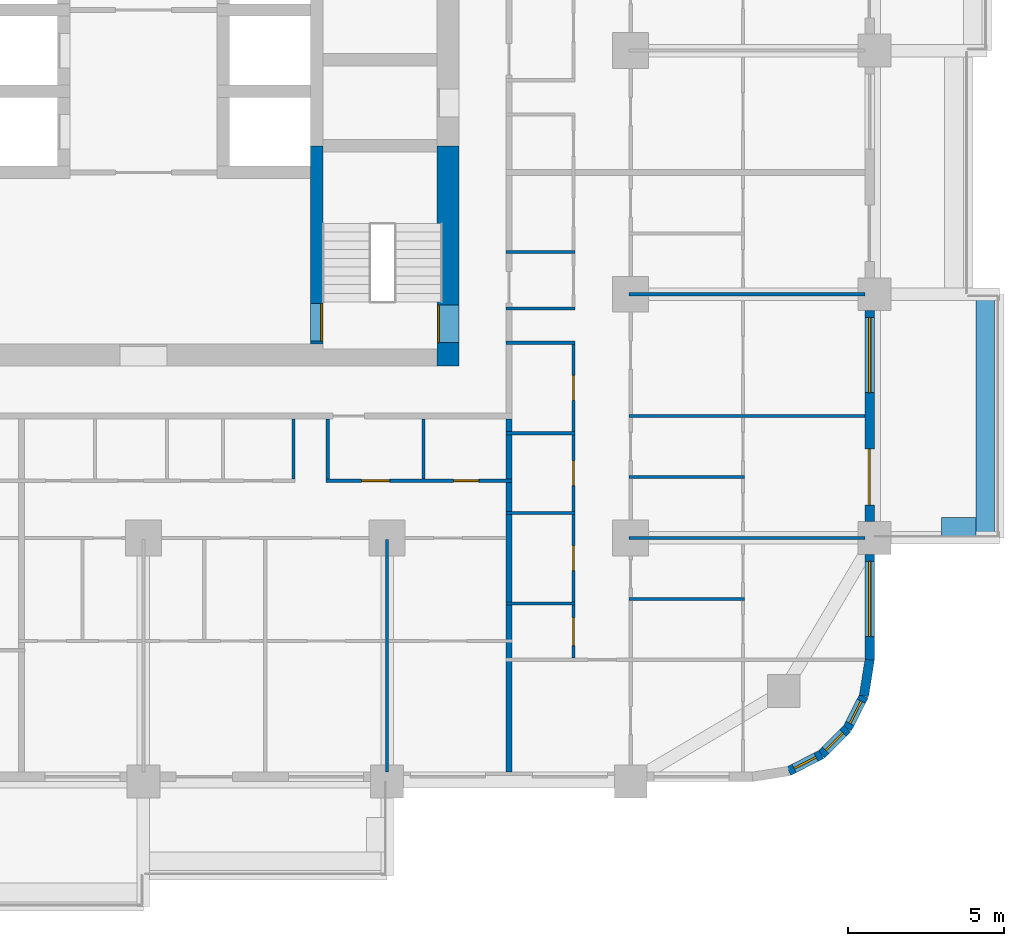
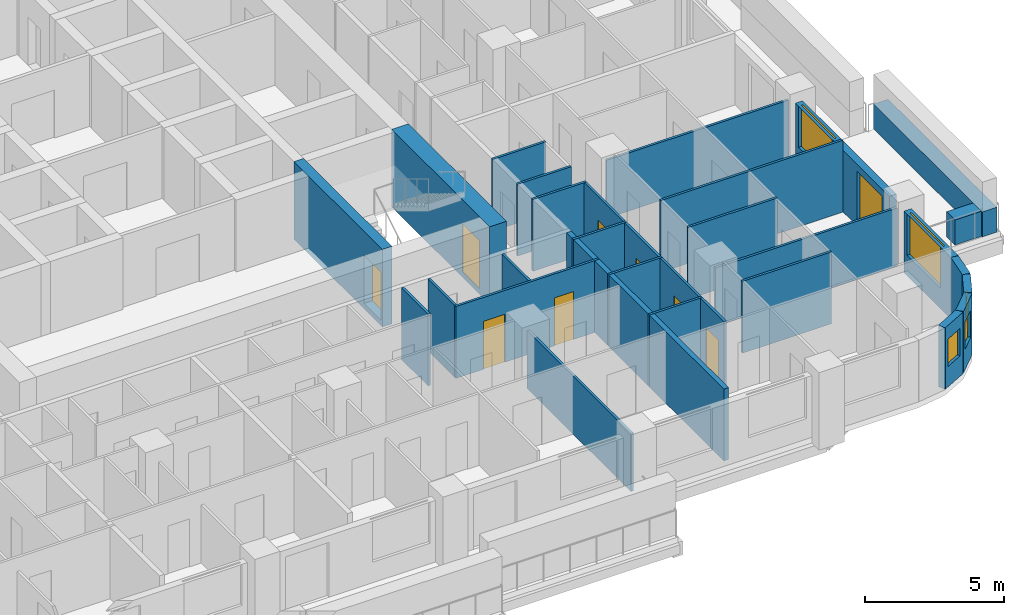
# One storey, part 7 of 17: 28 walls, 9 doors, 5 windows, 14 openings.
"""IFC4 building model written with IfcOpenShell, lengths in metres."""

from ifc_helpers import new_model, si_unit, direction, frame, frame_2d, origin, place, context, subcontext, project, spatial, rectangle, extrude, material, layer, layer_set, type_object, element, fill, save


model = new_model("IFC4")

# Units and contexts
model_context = context("Model", 3, precision=1e-05, world=origin(), true_north=direction((0.0, 1.0)))
body_context = subcontext(model_context, "Body", "Model", "MODEL_VIEW")
ifc_project = project(units=[si_unit("LENGTHUNIT", "METRE"), si_unit("AREAUNIT", "SQUARE_METRE"), si_unit("VOLUMEUNIT", "CUBIC_METRE"), si_unit("PLANEANGLEUNIT", "RADIAN"), si_unit("MASSUNIT", "GRAM", prefix="KILO")], contexts=[model_context])

# Site, building, storey
site_placement = place(None, origin())
site = spatial("IfcSite", under=ifc_project, at=site_placement, CompositionType="ELEMENT")
building_placement = place(site_placement, origin())
building = spatial("IfcBuilding", under=site, at=building_placement, Name="Ludao Terraces", CompositionType="ELEMENT")
storey_placement = place(building_placement, frame((0.0, 0.0, 54.60009765625)))
storey = spatial("IfcBuildingStorey", under=building, at=storey_placement, Name="L14", CompositionType="ELEMENT", Elevation=54.60009765625)

# Wall, opening, door
ifc_material_1 = material(Name="Concrete C70", Category="concrete")
ifc_layer_1 = layer(ifc_material_1, 0.699951171875)
ifc_layer_set_1 = layer_set([ifc_layer_1], Name="Core wall 700 C70")
wall_type_1 = type_object("IfcWallType", Name="Core wall 700 C70", PredefinedType="SOLIDWALL", material=ifc_layer_set_1)
wall_1_placement = place(storey_placement, frame((94.75, 54.89990234375, -0.25), z_axis=(0.0, 0.0, 1.0), x_axis=(0.0, 1.0, 0.0)))
wall_1 = element("IfcWall", 1, at=wall_1_placement, inside=storey, type_object=wall_type_1, Name="Core wall L14 outer-E-S3", PredefinedType="SOLIDWALL", context=body_context, shape_type="SweptSolid", body=[
    extrude(rectangle(XDim=7.050048828125, YDim=0.699951171875, at=frame_2d((3.52490234375, 0.0))), origin(), (0.0, 0.0, 1.0), 3.39990234375),
])
opening_1_placement = place(wall_1_placement, frame((0.75, 0.0, 0.25)))
opening_1 = element("IfcOpeningElement", 2, at=opening_1_placement, cuts=wall_1, Name="Opening R04-059", PredefinedType="OPENING", context=body_context, shape_type="SweptSolid", body=[
    extrude(rectangle(XDim=1.199951171875, YDim=2.10009765625, at=frame_2d((0.60009765625, 1.050048828125))), frame((0.0, 0.35986328125, 0.0), z_axis=(0.0, -1.0, 0.0), x_axis=(1.0, 0.0, 0.0)), (0.0, 0.0, 1.0), 0.719970703125),
])
ifc_material_2 = material(Name="Steel Q235", Category="steel")
door_type_1 = type_object("IfcDoorType", Name="INT Stair door 1200", OperationType="DOUBLE_DOOR_SINGLE_SWING", PredefinedType="DOOR", material=ifc_material_2)
door_1_placement = place(opening_1_placement, origin())
door_1 = element("IfcDoor", 3, at=door_1_placement, inside=storey, type_object=door_type_1, Name="DOOR 059", OperationType="DOUBLE_DOOR_SINGLE_SWING", OverallHeight=2.10009765625, OverallWidth=1.199951171875, PredefinedType="DOOR", context=body_context, shape_type="SweptSolid", body=[
    extrude(rectangle(XDim=1.199951171875, YDim=2.10009765625, at=frame_2d((0.60009765625, 1.050048828125))), frame((0.0, 0.3349609375, 0.0), z_axis=(0.0, -1.0, 0.0), x_axis=(1.0, 0.0, 0.0)), (0.0, 0.0, 1.0), 0.050048828125),
])
fill(opening_1, door_1)

# Walls
ifc_material_3 = material(Name="Concrete C40", Category="concrete")
ifc_layer_2 = layer(ifc_material_3, 0.60009765625)
ifc_layer_set_2 = layer_set([ifc_layer_2], Name="ENV Planter trough 600")
wall_type_2 = type_object("IfcWallType", Name="ENV Planter trough 600", PredefinedType="USERDEFINED", material=ifc_layer_set_2)
wall_2_placement = place(storey_placement, frame((111.949951171875, 49.39990234375, 0.0), z_axis=(0.0, 0.0, 1.0), x_axis=(0.0, 1.0, 0.0)))
element("IfcWall", 4, at=wall_2_placement, inside=storey, type_object=wall_type_2, Name="PL-L14-E1", ObjectType="PLANTER", PredefinedType="USERDEFINED", context=body_context, shape_type="SweptSolid", body=[
    extrude(rectangle(XDim=7.800048828125, YDim=0.60009765625, at=frame_2d((3.89990234375, 0.0))), origin(), (0.0, 0.0, 1.0), 1.099853515625),
])
wall_3_placement = place(storey_placement, frame((111.64990234375, 49.75, 0.0), z_axis=(0.0, 0.0, 1.0), x_axis=(-1.0, 0.0, 0.0)))
element("IfcWall", 5, at=wall_3_placement, inside=storey, type_object=wall_type_2, Name="PL-L14-E1-SA", ObjectType="PLANTER", PredefinedType="USERDEFINED", context=body_context, shape_type="SweptSolid", body=[
    extrude(rectangle(XDim=1.099853515625, YDim=0.60009765625, at=frame_2d((0.5498046875, 0.0))), origin(), (0.0, 0.0, 1.0), 1.099853515625),
])

# Wall, opening, window
ifc_material_4 = material(Name="Granite cladding", Category="masonry")
ifc_layer_3 = layer(ifc_material_4, 0.0400390625, Category="stone")
ifc_material_5 = material(Name="Mineral wool")
ifc_layer_4 = layer(ifc_material_5, 0.06005859375)
ifc_layer_5 = layer(ifc_material_3, 0.199951171875, Category="concrete")
ifc_layer_set_3 = layer_set([ifc_layer_3, ifc_layer_4, ifc_layer_5], Name="ENV Stone-clad wall 300")
wall_type_3 = type_object("IfcWallType", Name="ENV Stone-clad wall 300", PredefinedType="SOLIDWALL", material=ifc_layer_set_3)
wall_4_placement = place(storey_placement, frame((108.25, 45.5, 0.0), z_axis=(0.0, 0.0, 1.0), x_axis=(0.0, 1.0, 0.0)))
wall_4 = element("IfcWall", 6, at=wall_4_placement, inside=storey, type_object=wall_type_3, Name="EW-L14-E1", PredefinedType="SOLIDWALL", context=body_context, shape_type="SweptSolid", body=[
    extrude(rectangle(XDim=3.375, YDim=0.300048828125, at=frame_2d((1.6875, 0.0))), origin(), (0.0, 0.0, 1.0), 2.699951171875),
])
opening_2_placement = place(wall_4_placement, frame((0.75, 0.0, 0.89990234375)))
opening_2 = element("IfcOpeningElement", 7, at=opening_2_placement, cuts=wall_4, Name="Opening W1", PredefinedType="OPENING", context=body_context, shape_type="SweptSolid", body=[
    extrude(rectangle(XDim=2.39990234375, YDim=1.800048828125, at=frame_2d((1.199951171875, 0.89990234375))), frame((0.0, 0.16015625, 0.0), z_axis=(0.0, -1.0, 0.0), x_axis=(1.0, 0.0, 0.0)), (0.0, 0.0, 1.0), 0.320068359375),
])
ifc_material_6 = material(Name="Clear glass in aluminium frame", Category="aluminium")
ifc_layer_6 = layer(ifc_material_6, 0.06005859375)
ifc_layer_set_4 = layer_set([ifc_layer_6], Name="ENV Window W1 2400x1800")
window_type_1 = type_object("IfcWindowType", Name="ENV Window W1 2400x1800", PartitioningType="DOUBLE_PANEL_VERTICAL", PredefinedType="WINDOW", material=ifc_layer_set_4)
window_1_placement = place(opening_2_placement, origin())
window_1 = element("IfcWindow", 8, at=window_1_placement, inside=storey, type_object=window_type_1, Name="W-L14-E1-1", OverallHeight=1.800048828125, OverallWidth=2.39990234375, PartitioningType="DOUBLE_PANEL_VERTICAL", PredefinedType="WINDOW", context=body_context, shape_type="SweptSolid", body=[
    extrude(rectangle(XDim=2.39990234375, YDim=1.800048828125, at=frame_2d((1.199951171875, 0.89990234375))), frame((0.0, 0.030029296875, 0.0), z_axis=(0.0, -1.0, 0.0), x_axis=(1.0, 0.0, 0.0)), (0.0, 0.0, 1.0), 0.06005859375),
])
fill(opening_2, window_1)

# Wall, openings, door, window
wall_5_placement = place(storey_placement, frame((108.25, 49.925048828125, 0.0), z_axis=(0.0, 0.0, 1.0), x_axis=(0.0, 1.0, 0.0)))
wall_5 = element("IfcWall", 9, at=wall_5_placement, inside=storey, type_object=wall_type_3, Name="EW-L14-E2", PredefinedType="SOLIDWALL", context=body_context, shape_type="SweptSolid", body=[
    extrude(rectangle(XDim=6.75, YDim=0.300048828125, at=frame_2d((3.375, 0.0))), origin(), (0.0, 0.0, 1.0), 2.699951171875),
])
opening_3_placement = place(wall_5_placement, frame((0.52490234375, 0.0, 0.0)))
opening_3 = element("IfcOpeningElement", 10, at=opening_3_placement, cuts=wall_5, Name="Opening BD", PredefinedType="OPENING", context=body_context, shape_type="SweptSolid", body=[
    extrude(rectangle(XDim=1.800048828125, YDim=2.39990234375, at=frame_2d((0.89990234375, 1.199951171875))), frame((0.0, 0.16015625, 0.0), z_axis=(0.0, -1.0, 0.0), x_axis=(1.0, 0.0, 0.0)), (0.0, 0.0, 1.0), 0.320068359375),
])
opening_4_placement = place(wall_5_placement, frame((4.125, 0.0, 0.89990234375)))
opening_4 = element("IfcOpeningElement", 11, at=opening_4_placement, cuts=wall_5, Name="Opening W1", PredefinedType="OPENING", context=body_context, shape_type="SweptSolid", body=[
    extrude(rectangle(XDim=2.39990234375, YDim=1.800048828125, at=frame_2d((1.199951171875, 0.89990234375))), frame((0.0, 0.16015625, 0.0), z_axis=(0.0, -1.0, 0.0), x_axis=(1.0, 0.0, 0.0)), (0.0, 0.0, 1.0), 0.320068359375),
])
ifc_material_7 = material(Name="Aluminium glazed door", Category="aluminium")
ifc_layer_7 = layer(ifc_material_7, 0.06005859375)
ifc_layer_set_5 = layer_set([ifc_layer_7], Name="ENV Balcony door BD 1800x2400")
door_type_2 = type_object("IfcDoorType", Name="ENV Balcony door BD 1800x2400", OperationType="DOUBLE_DOOR_SINGLE_SWING", PredefinedType="DOOR", material=ifc_layer_set_5)
door_2_placement = place(opening_3_placement, origin())
door_2 = element("IfcDoor", 12, at=door_2_placement, inside=storey, type_object=door_type_2, Name="BD-L14-E2-1", OperationType="DOUBLE_DOOR_SINGLE_SWING", OverallHeight=2.39990234375, OverallWidth=1.800048828125, PredefinedType="DOOR", context=body_context, shape_type="SweptSolid", body=[
    extrude(rectangle(XDim=1.800048828125, YDim=2.39990234375, at=frame_2d((0.89990234375, 1.199951171875))), frame((0.0, 0.02490234375, 0.0), z_axis=(0.0, -1.0, 0.0), x_axis=(1.0, 0.0, 0.0)), (0.0, 0.0, 1.0), 0.050048828125),
])
fill(opening_3, door_2)
window_2_placement = place(opening_4_placement, origin())
window_2 = element("IfcWindow", 13, at=window_2_placement, inside=storey, type_object=window_type_1, Name="W-L14-E2-2", OverallHeight=1.800048828125, OverallWidth=2.39990234375, PartitioningType="DOUBLE_PANEL_VERTICAL", PredefinedType="WINDOW", context=body_context, shape_type="SweptSolid", body=[
    extrude(rectangle(XDim=2.39990234375, YDim=1.800048828125, at=frame_2d((1.199951171875, 0.89990234375))), frame((0.0, 0.030029296875, 0.0), z_axis=(0.0, -1.0, 0.0), x_axis=(1.0, 0.0, 0.0)), (0.0, 0.0, 1.0), 0.06005859375),
])
fill(opening_4, window_2)

# Wall, opening, window
wall_6_placement = place(storey_placement, frame((105.65869140625, 41.93359375, 0.0), z_axis=(0.0, 0.0, 1.0), x_axis=(0.890988677504, 0.454025524128, 0.0)))
wall_6 = element("IfcWall", 14, at=wall_6_placement, inside=storey, type_object=wall_type_3, Name="EW-L14-SE2", PredefinedType="SOLIDWALL", context=body_context, shape_type="SweptSolid", body=[
    extrude(rectangle(XDim=1.17333984375, YDim=0.300048828125, at=frame_2d((0.586669921875, 0.0))), origin(), (0.0, 0.0, 1.0), 2.699951171875),
])
opening_5_placement = place(wall_6_placement, frame((0.1865234375, 0.0, 0.89990234375)))
opening_5 = element("IfcOpeningElement", 15, at=opening_5_placement, cuts=wall_6, Name="Opening W3", PredefinedType="OPENING", context=body_context, shape_type="SweptSolid", body=[
    extrude(rectangle(XDim=0.800048828125, YDim=1.199951171875, at=frame_2d((0.39990234375, 0.60009765625))), frame((0.0, 0.16015625, 0.0), z_axis=(0.0, -1.0, 0.0), x_axis=(1.0, 0.0, 0.0)), (0.0, 0.0, 1.0), 0.320068359375),
])
ifc_layer_8 = layer(ifc_material_6, 0.06005859375)
ifc_layer_set_6 = layer_set([ifc_layer_8], Name="ENV Window W3 800x1200")
window_type_2 = type_object("IfcWindowType", Name="ENV Window W3 800x1200", PartitioningType="SINGLE_PANEL", PredefinedType="WINDOW", material=ifc_layer_set_6)
window_3_placement = place(opening_5_placement, origin())
window_3 = element("IfcWindow", 16, at=window_3_placement, inside=storey, type_object=window_type_2, Name="W-L14-SE2", OverallHeight=1.199951171875, OverallWidth=0.800048828125, PartitioningType="SINGLE_PANEL", PredefinedType="WINDOW", context=body_context, shape_type="SweptSolid", body=[
    extrude(rectangle(XDim=0.800048828125, YDim=1.199951171875, at=frame_2d((0.39990234375, 0.60009765625))), frame((0.0, 0.030029296875, 0.0), z_axis=(0.0, -1.0, 0.0), x_axis=(1.0, 0.0, 0.0)), (0.0, 0.0, 1.0), 0.06005859375),
])
fill(opening_5, window_3)

wall_7_placement = place(storey_placement, frame((106.7041015625, 42.46630859375, 0.0), z_axis=(0.0, 0.0, 1.0), x_axis=(0.707106781187, 0.707106781187, 0.0)))
wall_7 = element("IfcWall", 17, at=wall_7_placement, inside=storey, type_object=wall_type_3, Name="EW-L14-SE3", PredefinedType="SOLIDWALL", context=body_context, shape_type="SweptSolid", body=[
    extrude(rectangle(XDim=1.173095703125, YDim=0.300048828125, at=frame_2d((0.58642578125, 0.0))), origin(), (0.0, 0.0, 1.0), 2.699951171875),
])
opening_6_placement = place(wall_7_placement, frame((0.1865234375, 0.0, 0.89990234375)))
opening_6 = element("IfcOpeningElement", 18, at=opening_6_placement, cuts=wall_7, Name="Opening W3", PredefinedType="OPENING", context=body_context, shape_type="SweptSolid", body=[
    extrude(rectangle(XDim=0.800048828125, YDim=1.199951171875, at=frame_2d((0.39990234375, 0.60009765625))), frame((0.0, 0.16015625, 0.0), z_axis=(0.0, -1.0, 0.0), x_axis=(1.0, 0.0, 0.0)), (0.0, 0.0, 1.0), 0.320068359375),
])
window_4_placement = place(opening_6_placement, origin())
window_4 = element("IfcWindow", 19, at=window_4_placement, inside=storey, type_object=window_type_2, Name="W-L14-SE3", OverallHeight=1.199951171875, OverallWidth=0.800048828125, PartitioningType="SINGLE_PANEL", PredefinedType="WINDOW", context=body_context, shape_type="SweptSolid", body=[
    extrude(rectangle(XDim=0.800048828125, YDim=1.199951171875, at=frame_2d((0.39990234375, 0.60009765625))), frame((0.0, 0.030029296875, 0.0), z_axis=(0.0, -1.0, 0.0), x_axis=(1.0, 0.0, 0.0)), (0.0, 0.0, 1.0), 0.06005859375),
])
fill(opening_6, window_4)

wall_8_placement = place(storey_placement, frame((107.53369140625, 43.2958984375, 0.0), z_axis=(0.0, 0.0, 1.0), x_axis=(0.454025524128, 0.890988677504, 0.0)))
wall_8 = element("IfcWall", 20, at=wall_8_placement, inside=storey, type_object=wall_type_3, Name="EW-L14-SE4", PredefinedType="SOLIDWALL", context=body_context, shape_type="SweptSolid", body=[
    extrude(rectangle(XDim=1.17333984375, YDim=0.300048828125, at=frame_2d((0.586669921875, 0.0))), origin(), (0.0, 0.0, 1.0), 2.699951171875),
])
opening_7_placement = place(wall_8_placement, frame((0.1865234375, 0.0, 0.89990234375)))
opening_7 = element("IfcOpeningElement", 21, at=opening_7_placement, cuts=wall_8, Name="Opening W3", PredefinedType="OPENING", context=body_context, shape_type="SweptSolid", body=[
    extrude(rectangle(XDim=0.800048828125, YDim=1.199951171875, at=frame_2d((0.39990234375, 0.60009765625))), frame((0.0, 0.16015625, 0.0), z_axis=(0.0, -1.0, 0.0), x_axis=(1.0, 0.0, 0.0)), (0.0, 0.0, 1.0), 0.320068359375),
])
window_5_placement = place(opening_7_placement, origin())
window_5 = element("IfcWindow", 22, at=window_5_placement, inside=storey, type_object=window_type_2, Name="W-L14-SE4", OverallHeight=1.199951171875, OverallWidth=0.800048828125, PartitioningType="SINGLE_PANEL", PredefinedType="WINDOW", context=body_context, shape_type="SweptSolid", body=[
    extrude(rectangle(XDim=0.800048828125, YDim=1.199951171875, at=frame_2d((0.39990234375, 0.60009765625))), frame((0.0, 0.030029296875, 0.0), z_axis=(0.0, -1.0, 0.0), x_axis=(1.0, 0.0, 0.0)), (0.0, 0.0, 1.0), 0.06005859375),
])
fill(opening_7, window_5)

# Walls
wall_9_placement = place(storey_placement, frame((108.06640625, 44.34130859375, 0.0), z_axis=(0.0, 0.0, 1.0), x_axis=(0.156496880861, 0.987678452879, 0.0)))
element("IfcWall", 23, at=wall_9_placement, inside=storey, type_object=wall_type_3, Name="EW-L14-SE5", PredefinedType="SOLIDWALL", context=body_context, shape_type="SweptSolid", body=[
    extrude(rectangle(XDim=1.173095703125, YDim=0.300048828125, at=frame_2d((0.58642578125, 0.0))), origin(), (0.0, 0.0, 1.0), 2.699951171875),
])
ifc_material_8 = material(Name="Gypsum plasterboard", Category="gypsum")
ifc_layer_9 = layer(ifc_material_8, 0.012451171875, Category="gypsum")
ifc_layer_10 = layer(ifc_material_5, 0.06005859375, Name="insulation")
ifc_layer_11 = layer(ifc_material_2, 0.014892578125, Name="stud")
ifc_layer_12 = layer(ifc_material_8, 0.012451171875, Category="gypsum")
ifc_layer_set_7 = layer_set([ifc_layer_9, ifc_layer_10, ifc_layer_11, ifc_layer_12], Name="INT Partition 100")
wall_type_4 = type_object("IfcWallType", Name="INT Partition 100", PredefinedType="PARTITIONING", material=ifc_layer_set_7)
wall_10_placement = place(storey_placement, frame((96.60009765625, 47.300048828125, 0.0), z_axis=(0.0, 0.0, 1.0), x_axis=(1.0, 0.0, 0.0)))
element("IfcWall", 24, at=wall_10_placement, inside=storey, type_object=wall_type_4, Name="PW-L14-PW005", PredefinedType="PARTITIONING", context=body_context, shape_type="SweptSolid", body=[
    extrude(rectangle(XDim=2.219970703125, YDim=0.10009765625, at=frame_2d((1.10986328125, 0.0))), origin(), (0.0, 0.0, 1.0), 3.14990234375),
])
wall_11_placement = place(storey_placement, frame((100.550048828125, 47.449951171875, 0.0), z_axis=(0.0, 0.0, 1.0), x_axis=(1.0, 0.0, 0.0)))
element("IfcWall", 25, at=wall_11_placement, inside=storey, type_object=wall_type_4, Name="PW-L14-PW007", PredefinedType="PARTITIONING", context=body_context, shape_type="SweptSolid", body=[
    extrude(rectangle(XDim=3.699951171875, YDim=0.10009765625, at=frame_2d((1.85009765625, 0.0))), origin(), (0.0, 0.0, 1.0), 3.14990234375),
])
wall_12_placement = place(storey_placement, frame((100.550048828125, 49.39990234375, 0.0), z_axis=(0.0, 0.0, 1.0), x_axis=(1.0, 0.0, 0.0)))
element("IfcWall", 26, at=wall_12_placement, inside=storey, type_object=wall_type_4, Name="PW-L14-PW010", PredefinedType="PARTITIONING", context=body_context, shape_type="SweptSolid", body=[
    extrude(rectangle(XDim=7.550048828125, YDim=0.10009765625, at=frame_2d((3.77490234375, 0.0))), origin(), (0.0, 0.0, 1.0), 2.5498046875),
])
wall_13_placement = place(storey_placement, frame((96.60009765625, 50.199951171875, 0.0), z_axis=(0.0, 0.0, 1.0), x_axis=(1.0, 0.0, 0.0)))
element("IfcWall", 27, at=wall_13_placement, inside=storey, type_object=wall_type_4, Name="PW-L14-PW012", PredefinedType="PARTITIONING", context=body_context, shape_type="SweptSolid", body=[
    extrude(rectangle(XDim=2.219970703125, YDim=0.10009765625, at=frame_2d((1.10986328125, 0.0))), origin(), (0.0, 0.0, 1.0), 3.14990234375),
])

# Wall, openings, doors
wall_14_placement = place(storey_placement, frame((90.85009765625, 51.22998046875, 0.0), z_axis=(0.0, 0.0, 1.0), x_axis=(1.0, 0.0, 0.0)))
wall_14 = element("IfcWall", 28, at=wall_14_placement, inside=storey, type_object=wall_type_4, Name="PW-L14-PW015", PredefinedType="PARTITIONING", context=body_context, shape_type="SweptSolid", body=[
    extrude(rectangle(XDim=5.949951171875, YDim=0.10009765625, at=frame_2d((2.97509765625, 0.0))), origin(), (0.0, 0.0, 1.0), 3.14990234375),
])
opening_8_placement = place(wall_14_placement, frame((1.135009765625, 0.0, 0.0)))
opening_8 = element("IfcOpeningElement", 29, at=opening_8_placement, cuts=wall_14, Name="Opening R04-041", PredefinedType="OPENING", context=body_context, shape_type="SweptSolid", body=[
    extrude(rectangle(XDim=0.89990234375, YDim=2.10009765625, at=frame_2d((0.449951171875, 1.050048828125))), frame((0.0, 0.06005859375, 0.0), z_axis=(0.0, -1.0, 0.0), x_axis=(1.0, 0.0, 0.0)), (0.0, 0.0, 1.0), 0.1201171875),
])
opening_9_placement = place(wall_14_placement, frame((4.0849609375, 0.0, 0.0)))
opening_9 = element("IfcOpeningElement", 30, at=opening_9_placement, cuts=wall_14, Name="Opening R04-042", PredefinedType="OPENING", context=body_context, shape_type="SweptSolid", body=[
    extrude(rectangle(XDim=0.800048828125, YDim=2.10009765625, at=frame_2d((0.39990234375, 1.050048828125))), frame((0.0, 0.06005859375, 0.0), z_axis=(0.0, -1.0, 0.0), x_axis=(1.0, 0.0, 0.0)), (0.0, 0.0, 1.0), 0.1201171875),
])
ifc_material_9 = material(Name="Timber door leaf", Category="wood")
door_type_3 = type_object("IfcDoorType", Name="INT Room door 900", OperationType="SINGLE_SWING_LEFT", PredefinedType="DOOR", material=ifc_material_9)
door_3_placement = place(opening_8_placement, origin())
door_3 = element("IfcDoor", 31, at=door_3_placement, inside=storey, type_object=door_type_3, Name="DOOR 041", OperationType="SINGLE_SWING_LEFT", OverallHeight=2.10009765625, OverallWidth=0.89990234375, PredefinedType="DOOR", context=body_context, shape_type="SweptSolid", body=[
    extrude(rectangle(XDim=0.89990234375, YDim=2.10009765625, at=frame_2d((0.449951171875, 1.050048828125))), frame((0.0, 0.02490234375, 0.0), z_axis=(0.0, -1.0, 0.0), x_axis=(1.0, 0.0, 0.0)), (0.0, 0.0, 1.0), 0.050048828125),
])
fill(opening_8, door_3)
door_type_4 = type_object("IfcDoorType", Name="INT Store door 800", OperationType="SINGLE_SWING_LEFT", PredefinedType="DOOR", material=ifc_material_9)
door_4_placement = place(opening_9_placement, origin())
door_4 = element("IfcDoor", 32, at=door_4_placement, inside=storey, type_object=door_type_4, Name="DOOR 042", OperationType="SINGLE_SWING_RIGHT", OverallHeight=2.10009765625, OverallWidth=0.800048828125, PredefinedType="DOOR", context=body_context, shape_type="SweptSolid", body=[
    extrude(rectangle(XDim=0.800048828125, YDim=2.10009765625, at=frame_2d((0.39990234375, 1.050048828125))), frame((0.0, 0.02490234375, 0.0), z_axis=(0.0, -1.0, 0.0), x_axis=(1.0, 0.0, 0.0)), (0.0, 0.0, 1.0), 0.050048828125),
])
fill(opening_9, door_4)

# Walls
wall_15_placement = place(storey_placement, frame((100.550048828125, 51.35009765625, 0.0), z_axis=(0.0, 0.0, 1.0), x_axis=(1.0, 0.0, 0.0)))
element("IfcWall", 33, at=wall_15_placement, inside=storey, type_object=wall_type_4, Name="PW-L14-PW017", PredefinedType="PARTITIONING", context=body_context, shape_type="SweptSolid", body=[
    extrude(rectangle(XDim=3.699951171875, YDim=0.10009765625, at=frame_2d((1.85009765625, 0.0))), origin(), (0.0, 0.0, 1.0), 3.14990234375),
])
wall_16_placement = place(storey_placement, frame((96.60009765625, 52.75, 0.0), z_axis=(0.0, 0.0, 1.0), x_axis=(1.0, 0.0, 0.0)))
element("IfcWall", 34, at=wall_16_placement, inside=storey, type_object=wall_type_4, Name="PW-L14-PW018", PredefinedType="PARTITIONING", context=body_context, shape_type="SweptSolid", body=[
    extrude(rectangle(XDim=2.219970703125, YDim=0.10009765625, at=frame_2d((1.10986328125, 0.0))), origin(), (0.0, 0.0, 1.0), 3.14990234375),
])
wall_17_placement = place(storey_placement, frame((100.550048828125, 53.300048828125, 0.0), z_axis=(0.0, 0.0, 1.0), x_axis=(1.0, 0.0, 0.0)))
element("IfcWall", 35, at=wall_17_placement, inside=storey, type_object=wall_type_4, Name="PW-L14-PW022", PredefinedType="PARTITIONING", context=body_context, shape_type="SweptSolid", body=[
    extrude(rectangle(XDim=7.550048828125, YDim=0.10009765625, at=frame_2d((3.77490234375, 0.0))), origin(), (0.0, 0.0, 1.0), 3.14990234375),
])
for number, where, z_axis, x_axis, name in (
    (36, (96.60009765625, 55.64990234375, 0.0), (0.0, 0.0, 1.0), (1.0, 0.0, 0.0), "PW-L14-PW024"),
    (37, (96.60009765625, 56.75, 0.0), (0.0, 0.0, 1.0), (1.0, 0.0, 0.0), "PW-L14-PW026"),
):
    element("IfcWall", number, at=place(storey_placement, frame(where, z_axis=z_axis, x_axis=x_axis)), inside=storey, type_object=wall_type_4, Name=name, PredefinedType="PARTITIONING", context=body_context, shape_type="SweptSolid", body=[
        extrude(rectangle(XDim=2.219970703125, YDim=0.10009765625, at=frame_2d((1.10986328125, 0.0))), origin(), (0.0, 0.0, 1.0), 3.14990234375),
    ])
wall_18_placement = place(storey_placement, frame((100.550048828125, 57.199951171875, 0.0), z_axis=(0.0, 0.0, 1.0), x_axis=(1.0, 0.0, 0.0)))
element("IfcWall", 38, at=wall_18_placement, inside=storey, type_object=wall_type_4, Name="PW-L14-PW028", PredefinedType="PARTITIONING", context=body_context, shape_type="SweptSolid", body=[
    extrude(rectangle(XDim=7.550048828125, YDim=0.10009765625, at=frame_2d((3.77490234375, 0.0))), origin(), (0.0, 0.0, 1.0), 2.5498046875),
])
wall_19_placement = place(storey_placement, frame((96.60009765625, 58.550048828125, 0.0), z_axis=(0.0, 0.0, 1.0), x_axis=(1.0, 0.0, 0.0)))
element("IfcWall", 39, at=wall_19_placement, inside=storey, type_object=wall_type_4, Name="PW-L14-PW029", PredefinedType="PARTITIONING", context=body_context, shape_type="SweptSolid", body=[
    extrude(rectangle(XDim=2.219970703125, YDim=0.10009765625, at=frame_2d((1.10986328125, 0.0))), origin(), (0.0, 0.0, 1.0), 3.14990234375),
])
for number, where, z_axis, x_axis, name in (
    (40, (89.800048828125, 51.280029296875, 0.0), (0.0, 0.0, 1.0), (0.0, 1.0, 0.0), "PW-L14-PW108"),
    (41, (90.89990234375, 51.280029296875, 0.0), (0.0, 0.0, 1.0), (0.0, 1.0, 0.0), "PW-L14-PW109"),
):
    element("IfcWall", number, at=place(storey_placement, frame(where, z_axis=z_axis, x_axis=x_axis)), inside=storey, type_object=wall_type_4, Name=name, PredefinedType="PARTITIONING", context=body_context, shape_type="SweptSolid", body=[
        extrude(rectangle(XDim=1.920166015625, YDim=0.10009765625, at=frame_2d((0.9599609375, 0.0))), origin(), (0.0, 0.0, 1.0), 3.14990234375),
    ])
wall_20_placement = place(storey_placement, frame((92.800048828125, 41.900146484375, 0.0), z_axis=(0.0, 0.0, 1.0), x_axis=(0.0, 1.0, 0.0)))
element("IfcWall", 42, at=wall_20_placement, inside=storey, type_object=wall_type_4, Name="PW-L14-PW110", PredefinedType="PARTITIONING", context=body_context, shape_type="SweptSolid", body=[
    extrude(rectangle(XDim=7.449951171875, YDim=0.10009765625, at=frame_2d((3.72509765625, 0.0))), origin(), (0.0, 0.0, 1.0), 2.5498046875),
])
wall_21_placement = place(storey_placement, frame((93.969970703125, 51.280029296875, 0.0), z_axis=(0.0, 0.0, 1.0), x_axis=(0.0, 1.0, 0.0)))
element("IfcWall", 43, at=wall_21_placement, inside=storey, type_object=wall_type_4, Name="PW-L14-PW112", PredefinedType="PARTITIONING", context=body_context, shape_type="SweptSolid", body=[
    extrude(rectangle(XDim=1.920166015625, YDim=0.10009765625, at=frame_2d((0.9599609375, 0.0))), origin(), (0.0, 0.0, 1.0), 3.14990234375),
])

# Wall, openings, doors
wall_22_placement = place(storey_placement, frame((98.77001953125, 45.550048828125, 0.0), z_axis=(0.0, 0.0, 1.0), x_axis=(0.0, 1.0, 0.0)))
wall_22 = element("IfcWall", 44, at=wall_22_placement, inside=storey, type_object=wall_type_4, Name="PW-L14-PW116", PredefinedType="PARTITIONING", context=body_context, shape_type="SweptSolid", body=[
    extrude(rectangle(XDim=10.050048828125, YDim=0.10009765625, at=frame_2d((5.02490234375, 0.0))), origin(), (0.0, 0.0, 1.0), 3.14990234375),
])
opening_10_placement = place(wall_22_placement, frame((0.39990234375, 0.0, 0.0)))
opening_10 = element("IfcOpeningElement", 45, at=opening_10_placement, cuts=wall_22, Name="Opening R04-017", PredefinedType="OPENING", context=body_context, shape_type="SweptSolid", body=[
    extrude(rectangle(XDim=0.89990234375, YDim=2.10009765625, at=frame_2d((0.449951171875, 1.050048828125))), frame((0.0, 0.06005859375, 0.0), z_axis=(0.0, -1.0, 0.0), x_axis=(1.0, 0.0, 0.0)), (0.0, 0.0, 1.0), 0.1201171875),
])
opening_11_placement = place(wall_22_placement, frame((2.800048828125, 0.0, 0.0)))
opening_11 = element("IfcOpeningElement", 46, at=opening_11_placement, cuts=wall_22, Name="Opening R04-025", PredefinedType="OPENING", context=body_context, shape_type="SweptSolid", body=[
    extrude(rectangle(XDim=0.800048828125, YDim=2.10009765625, at=frame_2d((0.39990234375, 1.050048828125))), frame((0.0, 0.06005859375, 0.0), z_axis=(0.0, -1.0, 0.0), x_axis=(1.0, 0.0, 0.0)), (0.0, 0.0, 1.0), 0.1201171875),
])
opening_12_placement = place(wall_22_placement, frame((5.52490234375, 0.0, 0.0)))
opening_12 = element("IfcOpeningElement", 47, at=opening_12_placement, cuts=wall_22, Name="Opening R04-043", PredefinedType="OPENING", context=body_context, shape_type="SweptSolid", body=[
    extrude(rectangle(XDim=0.800048828125, YDim=2.10009765625, at=frame_2d((0.39990234375, 1.050048828125))), frame((0.0, 0.06005859375, 0.0), z_axis=(0.0, -1.0, 0.0), x_axis=(1.0, 0.0, 0.0)), (0.0, 0.0, 1.0), 0.1201171875),
])
opening_13_placement = place(wall_22_placement, frame((8.25, 0.0, 0.0)))
opening_13 = element("IfcOpeningElement", 48, at=opening_13_placement, cuts=wall_22, Name="Opening R04-051", PredefinedType="OPENING", context=body_context, shape_type="SweptSolid", body=[
    extrude(rectangle(XDim=0.800048828125, YDim=2.10009765625, at=frame_2d((0.39990234375, 1.050048828125))), frame((0.0, 0.06005859375, 0.0), z_axis=(0.0, -1.0, 0.0), x_axis=(1.0, 0.0, 0.0)), (0.0, 0.0, 1.0), 0.1201171875),
])
door_type_5 = type_object("IfcDoorType", Name="INT Bathroom door 900", OperationType="SINGLE_SWING_LEFT", PredefinedType="DOOR", material=ifc_material_9)
door_5_placement = place(opening_10_placement, origin())
door_5 = element("IfcDoor", 49, at=door_5_placement, inside=storey, type_object=door_type_5, Name="DOOR 017", OperationType="SINGLE_SWING_RIGHT", OverallHeight=2.10009765625, OverallWidth=0.89990234375, PredefinedType="DOOR", context=body_context, shape_type="SweptSolid", body=[
    extrude(rectangle(XDim=0.89990234375, YDim=2.10009765625, at=frame_2d((0.449951171875, 1.050048828125))), frame((0.0, 0.02490234375, 0.0), z_axis=(0.0, -1.0, 0.0), x_axis=(1.0, 0.0, 0.0)), (0.0, 0.0, 1.0), 0.050048828125),
])
fill(opening_10, door_5)
door_6_placement = place(opening_11_placement, origin())
door_6 = element("IfcDoor", 50, at=door_6_placement, inside=storey, type_object=door_type_4, Name="DOOR 025", OperationType="SINGLE_SWING_LEFT", OverallHeight=2.10009765625, OverallWidth=0.800048828125, PredefinedType="DOOR", context=body_context, shape_type="SweptSolid", body=[
    extrude(rectangle(XDim=0.800048828125, YDim=2.10009765625, at=frame_2d((0.39990234375, 1.050048828125))), frame((0.0, 0.02490234375, 0.0), z_axis=(0.0, -1.0, 0.0), x_axis=(1.0, 0.0, 0.0)), (0.0, 0.0, 1.0), 0.050048828125),
])
fill(opening_11, door_6)
door_7_placement = place(opening_12_placement, origin())
door_7 = element("IfcDoor", 51, at=door_7_placement, inside=storey, type_object=door_type_4, Name="DOOR 043", OperationType="SINGLE_SWING_RIGHT", OverallHeight=2.10009765625, OverallWidth=0.800048828125, PredefinedType="DOOR", context=body_context, shape_type="SweptSolid", body=[
    extrude(rectangle(XDim=0.800048828125, YDim=2.10009765625, at=frame_2d((0.39990234375, 1.050048828125))), frame((0.0, 0.02490234375, 0.0), z_axis=(0.0, -1.0, 0.0), x_axis=(1.0, 0.0, 0.0)), (0.0, 0.0, 1.0), 0.050048828125),
])
fill(opening_12, door_7)
door_8_placement = place(opening_13_placement, origin())
door_8 = element("IfcDoor", 52, at=door_8_placement, inside=storey, type_object=door_type_4, Name="DOOR 051", OperationType="SINGLE_SWING_LEFT", OverallHeight=2.10009765625, OverallWidth=0.800048828125, PredefinedType="DOOR", context=body_context, shape_type="SweptSolid", body=[
    extrude(rectangle(XDim=0.800048828125, YDim=2.10009765625, at=frame_2d((0.39990234375, 1.050048828125))), frame((0.0, 0.02490234375, 0.0), z_axis=(0.0, -1.0, 0.0), x_axis=(1.0, 0.0, 0.0)), (0.0, 0.0, 1.0), 0.050048828125),
])
fill(opening_13, door_8)

# Wall
ifc_material_10 = material(Name="Autoclaved aerated concrete block B06 A3.5", Category="concrete")
ifc_layer_13 = layer(ifc_material_10, 0.199951171875)
ifc_layer_set_8 = layer_set([ifc_layer_13], Name="INT Party wall 200")
wall_type_5 = type_object("IfcWallType", Name="INT Party wall 200", PredefinedType="PARTITIONING", material=ifc_layer_set_8)
wall_23_placement = place(storey_placement, frame((96.699951171875, 41.900146484375, 0.0), z_axis=(0.0, 0.0, 1.0), x_axis=(0.0, 1.0, 0.0)))
element("IfcWall", 53, at=wall_23_placement, inside=storey, type_object=wall_type_5, Name="PW-L14-PW113", PredefinedType="PARTITIONING", context=body_context, shape_type="SweptSolid", body=[
    extrude(rectangle(XDim=11.300048828125, YDim=0.199951171875, at=frame_2d((5.64990234375, 0.0))), origin(), (0.0, 0.0, 1.0), 3.14990234375),
])

# Wall, opening, door
ifc_material_11 = material(Name="Concrete C60", Category="concrete")
ifc_layer_14 = layer(ifc_material_11, 0.39990234375)
ifc_layer_set_9 = layer_set([ifc_layer_14], Name="Shaft wall 400 C60")
wall_type_6 = type_object("IfcWallType", Name="Shaft wall 400 C60", PredefinedType="SOLIDWALL", material=ifc_layer_set_9)
wall_24_placement = place(storey_placement, frame((90.550048828125, 55.60009765625, -0.25), z_axis=(0.0, 0.0, 1.0), x_axis=(0.0, 1.0, 0.0)))
wall_24 = element("IfcWall", 54, at=wall_24_placement, inside=storey, type_object=wall_type_6, Name="Core wall L14 back-E-S3", PredefinedType="SOLIDWALL", context=body_context, shape_type="SweptSolid", body=[
    extrude(rectangle(XDim=6.349853515625, YDim=0.39990234375, at=frame_2d((3.1748046875, 0.0))), origin(), (0.0, 0.0, 1.0), 3.39990234375),
])
opening_14_placement = place(wall_24_placement, frame((0.10009765625, 0.0, 0.25)))
opening_14 = element("IfcOpeningElement", 55, at=opening_14_placement, cuts=wall_24, Name="Opening R04-058", PredefinedType="OPENING", context=body_context, shape_type="SweptSolid", body=[
    extrude(rectangle(XDim=1.199951171875, YDim=2.10009765625, at=frame_2d((0.60009765625, 1.050048828125))), frame((0.0, 0.2099609375, 0.0), z_axis=(0.0, -1.0, 0.0), x_axis=(1.0, 0.0, 0.0)), (0.0, 0.0, 1.0), 0.419921875),
])
door_9_placement = place(opening_14_placement, origin())
door_9 = element("IfcDoor", 56, at=door_9_placement, inside=storey, type_object=door_type_1, Name="DOOR 058", OperationType="DOUBLE_DOOR_SINGLE_SWING", OverallHeight=2.10009765625, OverallWidth=1.199951171875, PredefinedType="DOOR", context=body_context, shape_type="SweptSolid", body=[
    extrude(rectangle(XDim=1.199951171875, YDim=2.10009765625, at=frame_2d((0.60009765625, 1.050048828125))), frame((0.0, -0.134765625, 0.0), z_axis=(0.0, -1.0, 0.0), x_axis=(1.0, 0.0, 0.0)), (0.0, 0.0, 1.0), 0.050048828125),
])
fill(opening_14, door_9)

save(model, "model.ifc")
